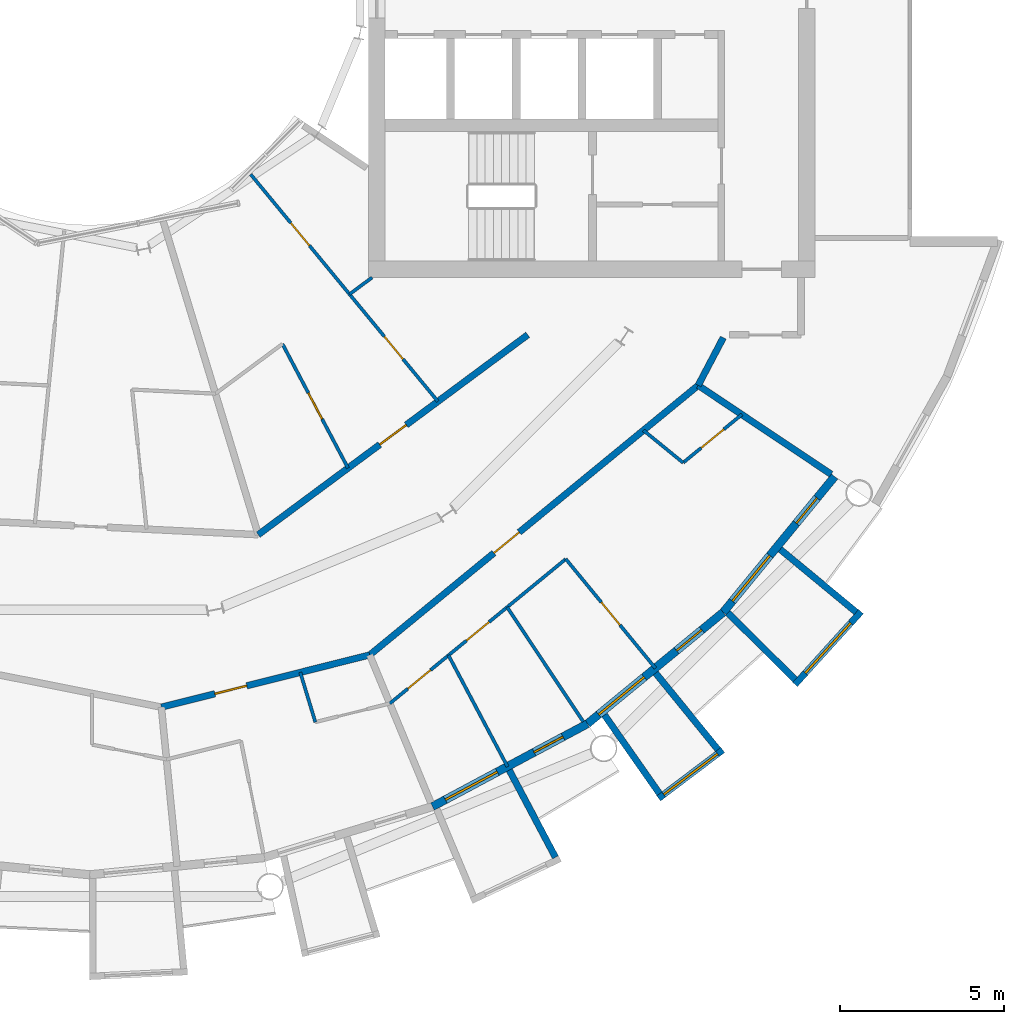
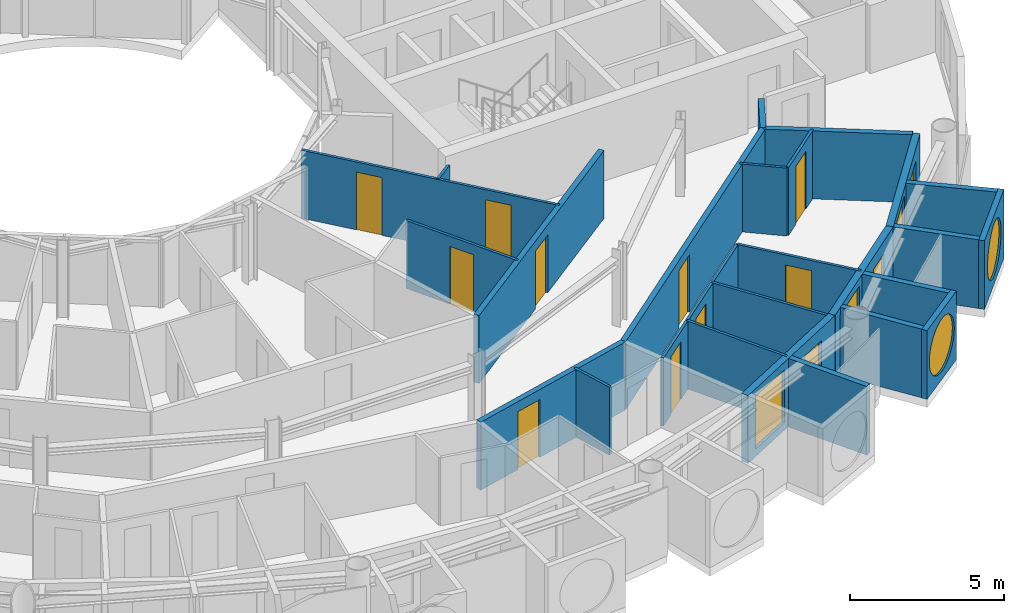
# One storey, part 17 of 27: 25 walls, 13 doors, 5 windows, 18 openings.
"""IFC4 building model written with IfcOpenShell, lengths in metres."""

from ifc_helpers import new_model, si_unit, direction, frame, frame_2d, origin, place, context, subcontext, project, spatial, rectangle, circle, extrude, material, layer, layer_set, type_object, element, fill, save


model = new_model("IFC4")

# Units and contexts
model_context = context("Model", 3, precision=1e-05, world=origin(), true_north=direction((0.0, 1.0)))
body_context = subcontext(model_context, "Body", "Model", "MODEL_VIEW")
ifc_project = project(units=[si_unit("LENGTHUNIT", "METRE"), si_unit("AREAUNIT", "SQUARE_METRE"), si_unit("VOLUMEUNIT", "CUBIC_METRE"), si_unit("PLANEANGLEUNIT", "RADIAN"), si_unit("MASSUNIT", "GRAM", prefix="KILO")], contexts=[model_context])

# Site, building, storey
site_placement = place(None, origin())
site = spatial("IfcSite", under=ifc_project, at=site_placement, CompositionType="ELEMENT")
building_placement = place(site_placement, origin())
building = spatial("IfcBuilding", under=site, at=building_placement, Name="Maasbend Ring Residences", CompositionType="ELEMENT")
storey_placement = place(building_placement, frame((0.0, 0.0, 151.300048828125)))
storey = spatial("IfcBuildingStorey", under=building, at=storey_placement, Name="L43", CompositionType="ELEMENT", Elevation=151.300048828125)

# Wall
ifc_material_1 = material(Name="Concrete C30/37", Category="concrete")
ifc_layer_1 = layer(ifc_material_1, 0.199951171875)
ifc_layer_set_1 = layer_set([ifc_layer_1], Name="Concrete C30/37")
wall_type_1 = type_object("IfcWallType", Name="CORRIDOR WALL 200 CONCRETE", PredefinedType="PARTITIONING", material=ifc_layer_set_1)
wall_1_placement = place(storey_placement, frame((18.5419921875, -12.388916015625, 0.0), z_axis=(0.0, 0.0, 1.0), x_axis=(0.465605550524, 0.884992356646, 0.0)))
element("IfcWall", 1, at=wall_1_placement, inside=storey, type_object=wall_type_1, Name="U-L43-w010", PredefinedType="PARTITIONING", context=body_context, shape_type="SweptSolid", body=[
    extrude(rectangle(XDim=1.642822265625, YDim=0.199951171875, at=frame_2d((0.8212890625, 0.0))), origin(), (0.0, 0.0, 1.0), 2.699951171875),
])

# Wall, opening, door
wall_2_placement = place(storey_placement, frame((2.18603515625, -22.193115234375, 0.0), z_axis=(0.0, 0.0, 1.0), x_axis=(0.97003047456, 0.242983288366, 0.0)))
wall_2 = element("IfcWall", 2, at=wall_2_placement, inside=storey, type_object=wall_type_1, Name="U-L43-w011", PredefinedType="PARTITIONING", context=body_context, shape_type="SweptSolid", body=[
    extrude(rectangle(XDim=6.5439453125, YDim=0.199951171875, at=frame_2d((3.27197265625, 0.0))), origin(), (0.0, 0.0, 1.0), 2.699951171875),
])
opening_1_placement = place(wall_2_placement, frame((1.680908203125, 0.0, 0.0)))
opening_1 = element("IfcOpeningElement", 3, at=opening_1_placement, cuts=wall_2, Name="Opening D-4343", PredefinedType="OPENING", context=body_context, shape_type="SweptSolid", body=[
    extrude(rectangle(XDim=1.0, YDim=2.300048828125, at=frame_2d((0.5, 1.14990234375))), frame((0.0, 0.10986328125, 0.0), z_axis=(0.0, -1.0, 0.0), x_axis=(1.0, 0.0, 0.0)), (0.0, 0.0, 1.0), 0.219970703125),
])
ifc_material_2 = material(Name="Timber, fire-rated, painted", Category="wood")
door_type_1 = type_object("IfcDoorType", Name="FLAT ENTRANCE DOOR 1000 X 2300 FIRE-RATED", OperationType="NOTDEFINED", PredefinedType="DOOR", material=ifc_material_2)
door_1_placement = place(opening_1_placement, origin())
door_1 = element("IfcDoor", 4, at=door_1_placement, inside=storey, type_object=door_type_1, Name="D-4343", OperationType="SINGLE_SWING_LEFT", OverallHeight=2.300048828125, OverallWidth=1.0, PredefinedType="DOOR", context=body_context, shape_type="SweptSolid", body=[
    extrude(rectangle(XDim=1.0, YDim=2.300048828125, at=frame_2d((0.5, 1.14990234375))), frame((0.0, 0.02490234375, 0.0), z_axis=(0.0, -1.0, 0.0), x_axis=(1.0, 0.0, 0.0)), (0.0, 0.0, 1.0), 0.050048828125),
])
fill(opening_1, door_1)

wall_3_placement = place(storey_placement, frame((8.533935546875, -20.60302734375, 0.0), z_axis=(0.0, 0.0, 1.0), x_axis=(0.772983503654, 0.634426121056, 0.0)))
wall_3 = element("IfcWall", 5, at=wall_3_placement, inside=storey, type_object=wall_type_1, Name="U-L43-w016", PredefinedType="PARTITIONING", context=body_context, shape_type="SweptSolid", body=[
    extrude(rectangle(XDim=12.947265625, YDim=0.199951171875, at=frame_2d((6.4736328125, 0.0))), origin(), (0.0, 0.0, 1.0), 2.699951171875),
])
opening_2_placement = place(wall_3_placement, frame((4.89501953125, 0.0, 0.0)))
opening_2 = element("IfcOpeningElement", 6, at=opening_2_placement, cuts=wall_3, Name="Opening D-4346", PredefinedType="OPENING", context=body_context, shape_type="SweptSolid", body=[
    extrude(rectangle(XDim=1.0, YDim=2.300048828125, at=frame_2d((0.5, 1.14990234375))), frame((0.0, 0.10986328125, 0.0), z_axis=(0.0, -1.0, 0.0), x_axis=(1.0, 0.0, 0.0)), (0.0, 0.0, 1.0), 0.219970703125),
])
door_2_placement = place(opening_2_placement, origin())
door_2 = element("IfcDoor", 7, at=door_2_placement, inside=storey, type_object=door_type_1, Name="D-4346", OperationType="SINGLE_SWING_LEFT", OverallHeight=2.300048828125, OverallWidth=1.0, PredefinedType="DOOR", context=body_context, shape_type="SweptSolid", body=[
    extrude(rectangle(XDim=1.0, YDim=2.300048828125, at=frame_2d((0.5, 1.14990234375))), frame((0.0, 0.02490234375, 0.0), z_axis=(0.0, -1.0, 0.0), x_axis=(1.0, 0.0, 0.0)), (0.0, 0.0, 1.0), 0.050048828125),
])
fill(opening_2, door_2)

wall_4_placement = place(storey_placement, frame((5.136962890625, -16.93798828125, 0.0), z_axis=(0.0, 0.0, 1.0), x_axis=(0.803229232922, 0.595670042371, 0.0)))
wall_4 = element("IfcWall", 8, at=wall_4_placement, inside=storey, type_object=wall_type_1, Name="U-L43-w019", PredefinedType="PARTITIONING", context=body_context, shape_type="SweptSolid", body=[
    extrude(rectangle(XDim=10.223876953125, YDim=0.199951171875, at=frame_2d((5.11181640625, 0.0))), origin(), (0.0, 0.0, 1.0), 2.699951171875),
])
opening_3_placement = place(wall_4_placement, frame((4.612060546875, 0.0, 0.0)))
opening_3 = element("IfcOpeningElement", 9, at=opening_3_placement, cuts=wall_4, Name="Opening D-4360", PredefinedType="OPENING", context=body_context, shape_type="SweptSolid", body=[
    extrude(rectangle(XDim=1.0, YDim=2.300048828125, at=frame_2d((0.5, 1.14990234375))), frame((0.0, 0.10986328125, 0.0), z_axis=(0.0, -1.0, 0.0), x_axis=(1.0, 0.0, 0.0)), (0.0, 0.0, 1.0), 0.219970703125),
])
door_3_placement = place(opening_3_placement, origin())
door_3 = element("IfcDoor", 10, at=door_3_placement, inside=storey, type_object=door_type_1, Name="D-4360", OperationType="SINGLE_SWING_RIGHT", OverallHeight=2.300048828125, OverallWidth=1.0, PredefinedType="DOOR", context=body_context, shape_type="SweptSolid", body=[
    extrude(rectangle(XDim=1.0, YDim=2.300048828125, at=frame_2d((0.5, 1.14990234375))), frame((0.0, 0.02490234375, 0.0), z_axis=(0.0, -1.0, 0.0), x_axis=(1.0, 0.0, 0.0)), (0.0, 0.0, 1.0), 0.050048828125),
])
fill(opening_3, door_3)

# Wall
ifc_material_3 = material(Name="Pale anodised aluminium panel", Category="aluminium")
ifc_layer_2 = layer(ifc_material_3, 0.199951171875)
ifc_layer_set_2 = layer_set([ifc_layer_2], Name="EW-BOX")
wall_type_2 = type_object("IfcWallType", Name="EW-BOX", PredefinedType="SOLIDWALL", material=ifc_layer_set_2)
wall_5_placement = place(storey_placement, frame((12.787109375, -24.113037109375, -0.030029296875), z_axis=(0.0, 0.0, 1.0), x_axis=(0.468365282436, -0.883534924159, 0.0)))
element("IfcWall", 11, at=wall_5_placement, inside=storey, type_object=wall_type_2, Name="Box side wall S15 right", PredefinedType="SOLIDWALL", context=body_context, shape_type="SweptSolid", body=[
    extrude(rectangle(XDim=3.006103515625, YDim=0.199951171875, at=frame_2d((1.5029296875, 0.0))), origin(), (0.0, 0.0, 1.0), 2.72998046875),
])

# Wall, opening, window
wall_6_placement = place(storey_placement, frame((17.3369140625, -24.971923828125, -0.030029296875), z_axis=(0.0, 0.0, 1.0), x_axis=(0.797887588059, 0.602806268067, 0.0)))
wall_6 = element("IfcWall", 12, at=wall_6_placement, inside=storey, type_object=wall_type_2, Name="Box front S17", PredefinedType="SOLIDWALL", context=body_context, shape_type="SweptSolid", body=[
    extrude(rectangle(XDim=2.446533203125, YDim=0.199951171875, at=frame_2d((1.22314453125, 0.0))), origin(), (0.0, 0.0, 1.0), 2.72998046875),
])
opening_4_placement = place(wall_6_placement, frame((0.182861328125, 0.0, 0.330078125)))
opening_4 = element("IfcOpeningElement", 13, at=opening_4_placement, cuts=wall_6, Name="Opening W-RD", PredefinedType="OPENING", context=body_context, shape_type="SweptSolid", body=[
    extrude(circle(Radius=1.0400390625, at=frame_2d((1.0400390625, 1.0400390625))), frame((0.0, 0.10986328125, 0.0), z_axis=(0.0, -1.0, 0.0), x_axis=(1.0, 0.0, 0.0)), (0.0, 0.0, 1.0), 0.219970703125),
])
ifc_material_4 = material(Name="Aluminium and clear glass", Category="aluminium")
window_type_1 = type_object("IfcWindowType", Name="W-RD", PartitioningType="SINGLE_PANEL", PredefinedType="WINDOW", material=ifc_material_4)
window_1_placement = place(opening_4_placement, origin())
window_1 = element("IfcWindow", 14, at=window_1_placement, inside=storey, type_object=window_type_1, Name="Round window S17", OverallHeight=2.080078125, OverallWidth=2.080078125, PartitioningType="SINGLE_PANEL", PredefinedType="WINDOW", context=body_context, shape_type="SweptSolid", body=[
    extrude(circle(Radius=1.0400390625, at=frame_2d((1.0400390625, 1.0400390625))), frame((0.0, 0.030029296875, 0.0), z_axis=(0.0, -1.0, 0.0), x_axis=(1.0, 0.0, 0.0)), (0.0, 0.0, 1.0), 0.06005859375),
])
fill(opening_4, window_1)

# Walls
wall_7_placement = place(storey_placement, frame((15.68798828125, -22.43310546875, -0.030029296875), z_axis=(0.0, 0.0, 1.0), x_axis=(0.573260687834, -0.819373043115, 0.0)))
element("IfcWall", 15, at=wall_7_placement, inside=storey, type_object=wall_type_2, Name="Box side wall S17 left", PredefinedType="SOLIDWALL", context=body_context, shape_type="SweptSolid", body=[
    extrude(rectangle(XDim=2.92529296875, YDim=0.199951171875, at=frame_2d((1.462646484375, 0.0))), origin(), (0.0, 0.0, 1.0), 2.72998046875),
])
wall_8_placement = place(storey_placement, frame((17.24609375, -21.155029296875, -0.030029296875), z_axis=(0.0, 0.0, 1.0), x_axis=(0.631741648902, -0.775179004516, 0.0)))
element("IfcWall", 16, at=wall_8_placement, inside=storey, type_object=wall_type_2, Name="Box side wall S17 right", PredefinedType="SOLIDWALL", context=body_context, shape_type="SweptSolid", body=[
    extrude(rectangle(XDim=3.005859375, YDim=0.199951171875, at=frame_2d((1.5029296875, 0.0))), origin(), (0.0, 0.0, 1.0), 2.72998046875),
])

# Wall, opening, window
wall_9_placement = place(storey_placement, frame((21.492919921875, -21.5, -0.030029296875), z_axis=(0.0, 0.0, 1.0), x_axis=(0.671506829416, 0.740998365753, 0.0)))
wall_9 = element("IfcWall", 17, at=wall_9_placement, inside=storey, type_object=wall_type_2, Name="Box front S19", PredefinedType="SOLIDWALL", context=body_context, shape_type="SweptSolid", body=[
    extrude(rectangle(XDim=2.9931640625, YDim=0.199951171875, at=frame_2d((1.49658203125, 0.0))), origin(), (0.0, 0.0, 1.0), 2.72998046875),
])
opening_5_placement = place(wall_9_placement, frame((0.45654296875, 0.0, 0.330078125)))
opening_5 = element("IfcOpeningElement", 18, at=opening_5_placement, cuts=wall_9, Name="Opening W-RD", PredefinedType="OPENING", context=body_context, shape_type="SweptSolid", body=[
    extrude(circle(Radius=1.0400390625, at=frame_2d((1.0400390625, 1.0400390625))), frame((0.0, 0.10986328125, 0.0), z_axis=(0.0, -1.0, 0.0), x_axis=(1.0, 0.0, 0.0)), (0.0, 0.0, 1.0), 0.219970703125),
])
window_2_placement = place(opening_5_placement, origin())
window_2 = element("IfcWindow", 19, at=window_2_placement, inside=storey, type_object=window_type_1, Name="Round window S19", OverallHeight=2.080078125, OverallWidth=2.080078125, PartitioningType="SINGLE_PANEL", PredefinedType="WINDOW", context=body_context, shape_type="SweptSolid", body=[
    extrude(circle(Radius=1.0400390625, at=frame_2d((1.0400390625, 1.0400390625))), frame((0.0, 0.030029296875, 0.0), z_axis=(0.0, -1.0, 0.0), x_axis=(1.0, 0.0, 0.0)), (0.0, 0.0, 1.0), 0.06005859375),
])
fill(opening_5, window_2)

# Walls
wall_10_placement = place(storey_placement, frame((19.449951171875, -19.322998046875, -0.030029296875), z_axis=(0.0, 0.0, 1.0), x_axis=(0.709727076896, -0.704476739375, 0.0)))
element("IfcWall", 20, at=wall_10_placement, inside=storey, type_object=wall_type_2, Name="Box side wall S19 left", PredefinedType="SOLIDWALL", context=body_context, shape_type="SweptSolid", body=[
    extrude(rectangle(XDim=2.883056640625, YDim=0.199951171875, at=frame_2d((1.44140625, 0.0))), origin(), (0.0, 0.0, 1.0), 2.72998046875),
])
wall_11_placement = place(storey_placement, frame((21.041015625, -17.384033203125, -0.030029296875), z_axis=(0.0, 0.0, 1.0), x_axis=(0.770784861449, -0.63709551667, 0.0)))
element("IfcWall", 21, at=wall_11_placement, inside=storey, type_object=wall_type_2, Name="Box side wall S19 right", PredefinedType="SOLIDWALL", context=body_context, shape_type="SweptSolid", body=[
    extrude(rectangle(XDim=3.005859375, YDim=0.199951171875, at=frame_2d((1.5029296875, 0.0))), origin(), (0.0, 0.0, 1.0), 2.72998046875),
])

# Wall, openings, door, window
ifc_material_5 = material(Name="Aluminium clad insulated panel", Category="aluminium")
ifc_layer_3 = layer(ifc_material_5, 0.25)
ifc_layer_set_3 = layer_set([ifc_layer_3], Name="EW-GL")
wall_type_3 = type_object("IfcWallType", Name="EW-GL", PredefinedType="SOLIDWALL", material=ifc_layer_set_3)
wall_12_placement = place(storey_placement, frame((10.447021484375, -25.221923828125, 0.0), z_axis=(0.0, 0.0, 1.0), x_axis=(0.881915646801, 0.471407246368, 0.0)))
wall_12 = element("IfcWall", 22, at=wall_12_placement, inside=storey, type_object=wall_type_3, Name="External wall S08", PredefinedType="SOLIDWALL", context=body_context, shape_type="SweptSolid", body=[
    extrude(rectangle(XDim=5.35205078125, YDim=0.25, at=frame_2d((2.676025390625, 0.0))), origin(), (0.0, 0.0, 1.0), 2.699951171875),
])
opening_6_placement = place(wall_12_placement, frame((0.441162109375, 0.0, 0.300048828125)))
opening_6 = element("IfcOpeningElement", 23, at=opening_6_placement, cuts=wall_12, Name="Opening W-BX", PredefinedType="OPENING", context=body_context, shape_type="SweptSolid", body=[
    extrude(rectangle(XDim=1.800048828125, YDim=2.10009765625, at=frame_2d((0.89990234375, 1.050048828125))), frame((0.0, 0.135009765625, 0.0), z_axis=(0.0, -1.0, 0.0), x_axis=(1.0, 0.0, 0.0)), (0.0, 0.0, 1.0), 0.27001953125),
])
opening_7_placement = place(wall_12_placement, frame((3.510498046875, 0.0, 0.0)))
opening_7 = element("IfcOpeningElement", 24, at=opening_7_placement, cuts=wall_12, Name="Opening D-LG", PredefinedType="OPENING", context=body_context, shape_type="SweptSolid", body=[
    extrude(rectangle(XDim=1.0, YDim=2.199951171875, at=frame_2d((0.5, 1.10009765625))), frame((0.0, 0.135009765625, 0.0), z_axis=(0.0, -1.0, 0.0), x_axis=(1.0, 0.0, 0.0)), (0.0, 0.0, 1.0), 0.27001953125),
])
ifc_material_6 = material(Name="Aluminium and clear glass", Category="aluminium")
door_type_2 = type_object("IfcDoorType", Name="D-LG", OperationType="SINGLE_SWING_LEFT", PredefinedType="DOOR", material=ifc_material_6)
door_4_placement = place(opening_7_placement, origin())
door_4 = element("IfcDoor", 25, at=door_4_placement, inside=storey, type_object=door_type_2, Name="Loggia door S16", OperationType="SINGLE_SWING_LEFT", OverallHeight=2.199951171875, OverallWidth=1.0, PredefinedType="DOOR", context=body_context, shape_type="SweptSolid", body=[
    extrude(rectangle(XDim=1.0, YDim=2.199951171875, at=frame_2d((0.5, 1.10009765625))), frame((0.0, 0.02490234375, 0.0), z_axis=(0.0, -1.0, 0.0), x_axis=(1.0, 0.0, 0.0)), (0.0, 0.0, 1.0), 0.050048828125),
])
fill(opening_7, door_4)
ifc_material_7 = material(Name="Aluminium and clear glass", Category="aluminium")
window_type_2 = type_object("IfcWindowType", Name="W-BX", PartitioningType="DOUBLE_PANEL_VERTICAL", PredefinedType="WINDOW", material=ifc_material_7)
window_3_placement = place(opening_6_placement, origin())
window_3 = element("IfcWindow", 26, at=window_3_placement, inside=storey, type_object=window_type_2, Name="Window S15 room to box", OverallHeight=2.10009765625, OverallWidth=1.800048828125, PartitioningType="SINGLE_PANEL", PredefinedType="WINDOW", context=body_context, shape_type="SweptSolid", body=[
    extrude(rectangle(XDim=1.800048828125, YDim=2.10009765625, at=frame_2d((0.89990234375, 1.050048828125))), frame((0.0, 0.030029296875, 0.0), z_axis=(0.0, -1.0, 0.0), x_axis=(1.0, 0.0, 0.0)), (0.0, 0.0, 1.0), 0.06005859375),
])
fill(opening_6, window_3)

wall_13_placement = place(storey_placement, frame((15.1669921875, -22.698974609375, 0.0), z_axis=(0.0, 0.0, 1.0), x_axis=(0.773019449054, 0.634382322723, 0.0)))
wall_13 = element("IfcWall", 27, at=wall_13_placement, inside=storey, type_object=wall_type_3, Name="External wall S09", PredefinedType="SOLIDWALL", context=body_context, shape_type="SweptSolid", body=[
    extrude(rectangle(XDim=5.351806640625, YDim=0.25, at=frame_2d((2.67578125, 0.0))), origin(), (0.0, 0.0, 1.0), 2.699951171875),
])
opening_8_placement = place(wall_13_placement, frame((0.441162109375, 0.0, 0.300048828125)))
opening_8 = element("IfcOpeningElement", 28, at=opening_8_placement, cuts=wall_13, Name="Opening W-BX", PredefinedType="OPENING", context=body_context, shape_type="SweptSolid", body=[
    extrude(rectangle(XDim=1.800048828125, YDim=2.10009765625, at=frame_2d((0.89990234375, 1.050048828125))), frame((0.0, 0.135009765625, 0.0), z_axis=(0.0, -1.0, 0.0), x_axis=(1.0, 0.0, 0.0)), (0.0, 0.0, 1.0), 0.27001953125),
])
opening_9_placement = place(wall_13_placement, frame((3.510498046875, 0.0, 0.0)))
opening_9 = element("IfcOpeningElement", 29, at=opening_9_placement, cuts=wall_13, Name="Opening D-LG", PredefinedType="OPENING", context=body_context, shape_type="SweptSolid", body=[
    extrude(rectangle(XDim=1.0, YDim=2.199951171875, at=frame_2d((0.5, 1.10009765625))), frame((0.0, 0.135009765625, 0.0), z_axis=(0.0, -1.0, 0.0), x_axis=(1.0, 0.0, 0.0)), (0.0, 0.0, 1.0), 0.27001953125),
])
door_5_placement = place(opening_9_placement, origin())
door_5 = element("IfcDoor", 30, at=door_5_placement, inside=storey, type_object=door_type_2, Name="Loggia door S18", OperationType="SINGLE_SWING_LEFT", OverallHeight=2.199951171875, OverallWidth=1.0, PredefinedType="DOOR", context=body_context, shape_type="SweptSolid", body=[
    extrude(rectangle(XDim=1.0, YDim=2.199951171875, at=frame_2d((0.5, 1.10009765625))), frame((0.0, 0.02490234375, 0.0), z_axis=(0.0, -1.0, 0.0), x_axis=(1.0, 0.0, 0.0)), (0.0, 0.0, 1.0), 0.050048828125),
])
fill(opening_9, door_5)
window_4_placement = place(opening_8_placement, origin())
window_4 = element("IfcWindow", 31, at=window_4_placement, inside=storey, type_object=window_type_2, Name="Window S17 room to box", OverallHeight=2.10009765625, OverallWidth=1.800048828125, PartitioningType="SINGLE_PANEL", PredefinedType="WINDOW", context=body_context, shape_type="SweptSolid", body=[
    extrude(rectangle(XDim=1.800048828125, YDim=2.10009765625, at=frame_2d((0.89990234375, 1.050048828125))), frame((0.0, 0.030029296875, 0.0), z_axis=(0.0, -1.0, 0.0), x_axis=(1.0, 0.0, 0.0)), (0.0, 0.0, 1.0), 0.06005859375),
])
fill(opening_8, window_4)

wall_14_placement = place(storey_placement, frame((19.303955078125, -19.303955078125, 0.0), z_axis=(0.0, 0.0, 1.0), x_axis=(0.634382322723, 0.773019449054, 0.0)))
wall_14 = element("IfcWall", 32, at=wall_14_placement, inside=storey, type_object=wall_type_3, Name="External wall S10", PredefinedType="SOLIDWALL", context=body_context, shape_type="SweptSolid", body=[
    extrude(rectangle(XDim=5.351806640625, YDim=0.25, at=frame_2d((2.67578125, 0.0))), origin(), (0.0, 0.0, 1.0), 2.699951171875),
])
opening_10_placement = place(wall_14_placement, frame((0.441162109375, 0.0, 0.300048828125)))
opening_10 = element("IfcOpeningElement", 33, at=opening_10_placement, cuts=wall_14, Name="Opening W-BX", PredefinedType="OPENING", context=body_context, shape_type="SweptSolid", body=[
    extrude(rectangle(XDim=1.800048828125, YDim=2.10009765625, at=frame_2d((0.89990234375, 1.050048828125))), frame((0.0, 0.135009765625, 0.0), z_axis=(0.0, -1.0, 0.0), x_axis=(1.0, 0.0, 0.0)), (0.0, 0.0, 1.0), 0.27001953125),
])
opening_11_placement = place(wall_14_placement, frame((3.510498046875, 0.0, 0.0)))
opening_11 = element("IfcOpeningElement", 34, at=opening_11_placement, cuts=wall_14, Name="Opening D-LG", PredefinedType="OPENING", context=body_context, shape_type="SweptSolid", body=[
    extrude(rectangle(XDim=1.0, YDim=2.199951171875, at=frame_2d((0.5, 1.10009765625))), frame((0.0, 0.135009765625, 0.0), z_axis=(0.0, -1.0, 0.0), x_axis=(1.0, 0.0, 0.0)), (0.0, 0.0, 1.0), 0.27001953125),
])
door_6_placement = place(opening_11_placement, origin())
door_6 = element("IfcDoor", 35, at=door_6_placement, inside=storey, type_object=door_type_2, Name="Loggia door S20", OperationType="SINGLE_SWING_LEFT", OverallHeight=2.199951171875, OverallWidth=1.0, PredefinedType="DOOR", context=body_context, shape_type="SweptSolid", body=[
    extrude(rectangle(XDim=1.0, YDim=2.199951171875, at=frame_2d((0.5, 1.10009765625))), frame((0.0, 0.02490234375, 0.0), z_axis=(0.0, -1.0, 0.0), x_axis=(1.0, 0.0, 0.0)), (0.0, 0.0, 1.0), 0.050048828125),
])
fill(opening_11, door_6)
window_5_placement = place(opening_10_placement, origin())
window_5 = element("IfcWindow", 36, at=window_5_placement, inside=storey, type_object=window_type_2, Name="Window S19 room to box", OverallHeight=2.10009765625, OverallWidth=1.800048828125, PartitioningType="SINGLE_PANEL", PredefinedType="WINDOW", context=body_context, shape_type="SweptSolid", body=[
    extrude(rectangle(XDim=1.800048828125, YDim=2.10009765625, at=frame_2d((0.89990234375, 1.050048828125))), frame((0.0, 0.030029296875, 0.0), z_axis=(0.0, -1.0, 0.0), x_axis=(1.0, 0.0, 0.0)), (0.0, 0.0, 1.0), 0.06005859375),
])
fill(opening_10, window_5)

# Wall, openings, doors
ifc_material_8 = material(Name="Gypsum board on steel studs", Category="steel")
ifc_layer_4 = layer(ifc_material_8, 0.10009765625)
ifc_layer_set_4 = layer_set([ifc_layer_4], Name="PARTITION 100 GYPSUM")
wall_type_4 = type_object("IfcWallType", Name="PARTITION 100 GYPSUM", PredefinedType="PARTITIONING", material=ifc_layer_set_4)
wall_15_placement = place(storey_placement, frame((9.14599609375, -22.0810546875, 0.0), z_axis=(0.0, 0.0, 1.0), x_axis=(0.772956112865, 0.634459492469, 0.0)))
wall_15 = element("IfcWall", 37, at=wall_15_placement, inside=storey, type_object=wall_type_4, Name="U-L43-w007", PredefinedType="PARTITIONING", context=body_context, shape_type="SweptSolid", body=[
    extrude(rectangle(XDim=6.938232421875, YDim=0.10009765625, at=frame_2d((3.46923828125, 0.0))), origin(), (0.0, 0.0, 1.0), 2.699951171875),
])
opening_12_placement = place(wall_15_placement, frame((3.01806640625, 0.0, 0.0)))
opening_12 = element("IfcOpeningElement", 38, at=opening_12_placement, cuts=wall_15, Name="Opening D-4349", PredefinedType="OPENING", context=body_context, shape_type="SweptSolid", body=[
    extrude(rectangle(XDim=0.89990234375, YDim=2.300048828125, at=frame_2d((0.449951171875, 1.14990234375))), frame((0.0, 0.06005859375, 0.0), z_axis=(0.0, -1.0, 0.0), x_axis=(1.0, 0.0, 0.0)), (0.0, 0.0, 1.0), 0.1201171875),
])
opening_13_placement = place(wall_15_placement, frame((0.708984375, 0.0, 0.0)))
opening_13 = element("IfcOpeningElement", 39, at=opening_13_placement, cuts=wall_15, Name="Opening D-4350", PredefinedType="OPENING", context=body_context, shape_type="SweptSolid", body=[
    extrude(rectangle(XDim=0.89990234375, YDim=2.300048828125, at=frame_2d((0.449951171875, 1.14990234375))), frame((0.0, 0.06005859375, 0.0), z_axis=(0.0, -1.0, 0.0), x_axis=(1.0, 0.0, 0.0)), (0.0, 0.0, 1.0), 0.1201171875),
])
ifc_material_9 = material(Name="Timber, painted", Category="wood")
door_type_3 = type_object("IfcDoorType", Name="INTERNAL DOOR 900 X 2300", OperationType="NOTDEFINED", PredefinedType="DOOR", material=ifc_material_9)
door_7_placement = place(opening_12_placement, origin())
door_7 = element("IfcDoor", 40, at=door_7_placement, inside=storey, type_object=door_type_3, Name="D-4349", OperationType="SINGLE_SWING_LEFT", OverallHeight=2.300048828125, OverallWidth=0.89990234375, PredefinedType="DOOR", context=body_context, shape_type="SweptSolid", body=[
    extrude(rectangle(XDim=0.89990234375, YDim=2.300048828125, at=frame_2d((0.449951171875, 1.14990234375))), frame((0.0, 0.02490234375, 0.0), z_axis=(0.0, -1.0, 0.0), x_axis=(1.0, 0.0, 0.0)), (0.0, 0.0, 1.0), 0.050048828125),
])
fill(opening_12, door_7)
door_8_placement = place(opening_13_placement, origin())
door_8 = element("IfcDoor", 41, at=door_8_placement, inside=storey, type_object=door_type_3, Name="D-4350", OperationType="SINGLE_SWING_LEFT", OverallHeight=2.300048828125, OverallWidth=0.89990234375, PredefinedType="DOOR", context=body_context, shape_type="SweptSolid", body=[
    extrude(rectangle(XDim=0.89990234375, YDim=2.300048828125, at=frame_2d((0.449951171875, 1.14990234375))), frame((0.0, 0.02490234375, 0.0), z_axis=(0.0, -1.0, 0.0), x_axis=(1.0, 0.0, 0.0)), (0.0, 0.0, 1.0), 0.050048828125),
])
fill(opening_13, door_8)

# Wall, opening, door
wall_16_placement = place(storey_placement, frame((18.0869140625, -14.741943359375, 0.0), z_axis=(0.0, 0.0, 1.0), x_axis=(0.77288890179, 0.634541366256, 0.0)))
wall_16 = element("IfcWall", 42, at=wall_16_placement, inside=storey, type_object=wall_type_4, Name="U-L43-w008", PredefinedType="PARTITIONING", context=body_context, shape_type="SweptSolid", body=[
    extrude(rectangle(XDim=2.3134765625, YDim=0.10009765625, at=frame_2d((1.15673828125, 0.0))), origin(), (0.0, 0.0, 1.0), 2.699951171875),
])
opening_14_placement = place(wall_16_placement, frame((0.701904296875, 0.0, 0.0)))
opening_14 = element("IfcOpeningElement", 43, at=opening_14_placement, cuts=wall_16, Name="Opening D-4347", PredefinedType="OPENING", context=body_context, shape_type="SweptSolid", body=[
    extrude(rectangle(XDim=0.89990234375, YDim=2.300048828125, at=frame_2d((0.449951171875, 1.14990234375))), frame((0.0, 0.06005859375, 0.0), z_axis=(0.0, -1.0, 0.0), x_axis=(1.0, 0.0, 0.0)), (0.0, 0.0, 1.0), 0.1201171875),
])
door_9_placement = place(opening_14_placement, origin())
door_9 = element("IfcDoor", 44, at=door_9_placement, inside=storey, type_object=door_type_3, Name="D-4347", OperationType="SINGLE_SWING_LEFT", OverallHeight=2.300048828125, OverallWidth=0.89990234375, PredefinedType="DOOR", context=body_context, shape_type="SweptSolid", body=[
    extrude(rectangle(XDim=0.89990234375, YDim=2.300048828125, at=frame_2d((0.449951171875, 1.14990234375))), frame((0.0, 0.02490234375, 0.0), z_axis=(0.0, -1.0, 0.0), x_axis=(1.0, 0.0, 0.0)), (0.0, 0.0, 1.0), 0.050048828125),
])
fill(opening_14, door_9)

# Walls
wall_17_placement = place(storey_placement, frame((7.9189453125, -9.611083984375, 0.0), z_axis=(0.0, 0.0, 1.0), x_axis=(0.803199066515, 0.595710718007, 0.0)))
element("IfcWall", 45, at=wall_17_placement, inside=storey, type_object=wall_type_4, Name="U-L43-w025", PredefinedType="PARTITIONING", context=body_context, shape_type="SweptSolid", body=[
    extrude(rectangle(XDim=0.857666015625, YDim=0.10009765625, at=frame_2d((0.4287109375, 0.0))), origin(), (0.0, 0.0, 1.0), 2.699951171875),
])
wall_18_placement = place(storey_placement, frame((12.720947265625, -19.14697265625, 0.0), z_axis=(0.0, 0.0, 1.0), x_axis=(0.553609857728, -0.832776155654, 0.0)))
element("IfcWall", 46, at=wall_18_placement, inside=storey, type_object=wall_type_4, Name="U-L43-w033", PredefinedType="PARTITIONING", context=body_context, shape_type="SweptSolid", body=[
    extrude(rectangle(XDim=4.187255859375, YDim=0.10009765625, at=frame_2d((2.09375, 0.0))), origin(), (0.0, 0.0, 1.0), 2.699951171875),
])

# Wall, openings, doors
wall_19_placement = place(storey_placement, frame((4.907958984375, -5.958984375, 0.0), z_axis=(0.0, 0.0, 1.0), x_axis=(0.636115614725, -0.771593756262, 0.0)))
wall_19 = element("IfcWall", 47, at=wall_19_placement, inside=storey, type_object=wall_type_4, Name="U-L43-w071", PredefinedType="PARTITIONING", context=body_context, shape_type="SweptSolid", body=[
    extrude(rectangle(XDim=8.967041015625, YDim=0.10009765625, at=frame_2d((4.4833984375, 0.0))), origin(), (0.0, 0.0, 1.0), 2.699951171875),
])
opening_15_placement = place(wall_19_placement, frame((6.39990234375, 0.0, 0.0)))
opening_15 = element("IfcOpeningElement", 48, at=opening_15_placement, cuts=wall_19, Name="Opening D-4362", PredefinedType="OPENING", context=body_context, shape_type="SweptSolid", body=[
    extrude(rectangle(XDim=0.89990234375, YDim=2.300048828125, at=frame_2d((0.449951171875, 1.14990234375))), frame((0.0, 0.06005859375, 0.0), z_axis=(0.0, -1.0, 0.0), x_axis=(1.0, 0.0, 0.0)), (0.0, 0.0, 1.0), 0.1201171875),
])
opening_16_placement = place(wall_19_placement, frame((1.9169921875, 0.0, 0.0)))
opening_16 = element("IfcOpeningElement", 49, at=opening_16_placement, cuts=wall_19, Name="Opening D-4363", PredefinedType="OPENING", context=body_context, shape_type="SweptSolid", body=[
    extrude(rectangle(XDim=0.89990234375, YDim=2.300048828125, at=frame_2d((0.449951171875, 1.14990234375))), frame((0.0, 0.06005859375, 0.0), z_axis=(0.0, -1.0, 0.0), x_axis=(1.0, 0.0, 0.0)), (0.0, 0.0, 1.0), 0.1201171875),
])
door_10_placement = place(opening_15_placement, origin())
door_10 = element("IfcDoor", 50, at=door_10_placement, inside=storey, type_object=door_type_3, Name="D-4362", OperationType="SINGLE_SWING_RIGHT", OverallHeight=2.300048828125, OverallWidth=0.89990234375, PredefinedType="DOOR", context=body_context, shape_type="SweptSolid", body=[
    extrude(rectangle(XDim=0.89990234375, YDim=2.300048828125, at=frame_2d((0.449951171875, 1.14990234375))), frame((0.0, 0.02490234375, 0.0), z_axis=(0.0, -1.0, 0.0), x_axis=(1.0, 0.0, 0.0)), (0.0, 0.0, 1.0), 0.050048828125),
])
fill(opening_15, door_10)
door_11_placement = place(opening_16_placement, origin())
door_11 = element("IfcDoor", 51, at=door_11_placement, inside=storey, type_object=door_type_3, Name="D-4363", OperationType="SINGLE_SWING_LEFT", OverallHeight=2.300048828125, OverallWidth=0.89990234375, PredefinedType="DOOR", context=body_context, shape_type="SweptSolid", body=[
    extrude(rectangle(XDim=0.89990234375, YDim=2.300048828125, at=frame_2d((0.449951171875, 1.14990234375))), frame((0.0, 0.02490234375, 0.0), z_axis=(0.0, -1.0, 0.0), x_axis=(1.0, 0.0, 0.0)), (0.0, 0.0, 1.0), 0.050048828125),
])
fill(opening_16, door_11)

# Wall, opening, door
wall_20_placement = place(storey_placement, frame((5.875, -11.1259765625, 0.0), z_axis=(0.0, 0.0, 1.0), x_axis=(0.467030118529, -0.884241408432, 0.0)))
wall_20 = element("IfcWall", 52, at=wall_20_placement, inside=storey, type_object=wall_type_4, Name="U-L43-w073", PredefinedType="PARTITIONING", context=body_context, shape_type="SweptSolid", body=[
    extrude(rectangle(XDim=4.278076171875, YDim=0.10009765625, at=frame_2d((2.13916015625, 0.0))), origin(), (0.0, 0.0, 1.0), 2.699951171875),
])
opening_17_placement = place(wall_20_placement, frame((1.68896484375, 0.0, 0.0)))
opening_17 = element("IfcOpeningElement", 53, at=opening_17_placement, cuts=wall_20, Name="Opening D-4361", PredefinedType="OPENING", context=body_context, shape_type="SweptSolid", body=[
    extrude(rectangle(XDim=0.89990234375, YDim=2.300048828125, at=frame_2d((0.449951171875, 1.14990234375))), frame((0.0, 0.06005859375, 0.0), z_axis=(0.0, -1.0, 0.0), x_axis=(1.0, 0.0, 0.0)), (0.0, 0.0, 1.0), 0.1201171875),
])
door_12_placement = place(opening_17_placement, origin())
door_12 = element("IfcDoor", 54, at=door_12_placement, inside=storey, type_object=door_type_3, Name="D-4361", OperationType="SINGLE_SWING_RIGHT", OverallHeight=2.300048828125, OverallWidth=0.89990234375, PredefinedType="DOOR", context=body_context, shape_type="SweptSolid", body=[
    extrude(rectangle(XDim=0.89990234375, YDim=2.300048828125, at=frame_2d((0.449951171875, 1.14990234375))), frame((0.0, 0.02490234375, 0.0), z_axis=(0.0, -1.0, 0.0), x_axis=(1.0, 0.0, 0.0)), (0.0, 0.0, 1.0), 0.050048828125),
])
fill(opening_17, door_12)

# Wall
wall_21_placement = place(storey_placement, frame((10.93408203125, -20.614013671875, 0.0), z_axis=(0.0, 0.0, 1.0), x_axis=(0.468594334564, -0.883413464701, 0.0)))
element("IfcWall", 55, at=wall_21_placement, inside=storey, type_object=wall_type_4, Name="U-L43-w078", PredefinedType="PARTITIONING", context=body_context, shape_type="SweptSolid", body=[
    extrude(rectangle(XDim=3.8408203125, YDim=0.10009765625, at=frame_2d((1.92041015625, 0.0))), origin(), (0.0, 0.0, 1.0), 2.699951171875),
])

# Wall, opening, door
wall_22_placement = place(storey_placement, frame((14.509033203125, -17.678955078125, 0.0), z_axis=(0.0, 0.0, 1.0), x_axis=(0.634342681687, -0.77305197897, 0.0)))
wall_22 = element("IfcWall", 56, at=wall_22_placement, inside=storey, type_object=wall_type_4, Name="U-L43-w080", PredefinedType="PARTITIONING", context=body_context, shape_type="SweptSolid", body=[
    extrude(rectangle(XDim=4.30517578125, YDim=0.10009765625, at=frame_2d((2.152587890625, 0.0))), origin(), (0.0, 0.0, 1.0), 2.699951171875),
])
opening_18_placement = place(wall_22_placement, frame((1.702880859375, 0.0, 0.0)))
opening_18 = element("IfcOpeningElement", 57, at=opening_18_placement, cuts=wall_22, Name="Opening D-4348", PredefinedType="OPENING", context=body_context, shape_type="SweptSolid", body=[
    extrude(rectangle(XDim=0.89990234375, YDim=2.300048828125, at=frame_2d((0.449951171875, 1.14990234375))), frame((0.0, 0.06005859375, 0.0), z_axis=(0.0, -1.0, 0.0), x_axis=(1.0, 0.0, 0.0)), (0.0, 0.0, 1.0), 0.1201171875),
])
door_13_placement = place(opening_18_placement, origin())
door_13 = element("IfcDoor", 58, at=door_13_placement, inside=storey, type_object=door_type_3, Name="D-4348", OperationType="SINGLE_SWING_RIGHT", OverallHeight=2.300048828125, OverallWidth=0.89990234375, PredefinedType="DOOR", context=body_context, shape_type="SweptSolid", body=[
    extrude(rectangle(XDim=0.89990234375, YDim=2.300048828125, at=frame_2d((0.449951171875, 1.14990234375))), frame((0.0, 0.02490234375, 0.0), z_axis=(0.0, -1.0, 0.0), x_axis=(1.0, 0.0, 0.0)), (0.0, 0.0, 1.0), 0.050048828125),
])
fill(opening_18, door_13)

# Walls
wall_23_placement = place(storey_placement, frame((16.8740234375, -13.758056640625, 0.0), z_axis=(0.0, 0.0, 1.0), x_axis=(0.774869051393, -0.632121786679, 0.0)))
element("IfcWall", 59, at=wall_23_placement, inside=storey, type_object=wall_type_4, Name="U-L43-w083", PredefinedType="PARTITIONING", context=body_context, shape_type="SweptSolid", body=[
    extrude(rectangle(XDim=1.5615234375, YDim=0.10009765625, at=frame_2d((0.78076171875, 0.0))), origin(), (0.0, 0.0, 1.0), 2.699951171875),
])
wall_24_placement = place(storey_placement, frame((6.41796875, -21.133056640625, 0.0), z_axis=(0.0, 0.0, 1.0), x_axis=(0.290358126892, -0.95691805195, 0.0)))
element("IfcWall", 60, at=wall_24_placement, inside=storey, type_object=wall_type_4, Name="U-L43-w088", PredefinedType="PARTITIONING", context=body_context, shape_type="SweptSolid", body=[
    extrude(rectangle(XDim=1.584228515625, YDim=0.10009765625, at=frame_2d((0.7919921875, 0.0))), origin(), (0.0, 0.0, 1.0), 2.699951171875),
])
ifc_material_10 = material(Name="Concrete C30/37", Category="concrete")
ifc_layer_5 = layer(ifc_material_10, 0.199951171875)
ifc_layer_set_5 = layer_set([ifc_layer_5], Name="Concrete C30/37")
wall_type_5 = type_object("IfcWallType", Name="PARTY WALL 200 CONCRETE", PredefinedType="PARTITIONING", material=ifc_layer_set_5)
wall_25_placement = place(storey_placement, frame((18.5419921875, -12.388916015625, 0.0), z_axis=(0.0, 0.0, 1.0), x_axis=(0.831387096605, -0.55569370664, 0.0)))
element("IfcWall", 61, at=wall_25_placement, inside=storey, type_object=wall_type_5, Name="U-L43-w085", PredefinedType="PARTITIONING", context=body_context, shape_type="SweptSolid", body=[
    extrude(rectangle(XDim=4.875, YDim=0.199951171875, at=frame_2d((2.4375, 0.0))), origin(), (0.0, 0.0, 1.0), 2.699951171875),
])

save(model, "model.ifc")
